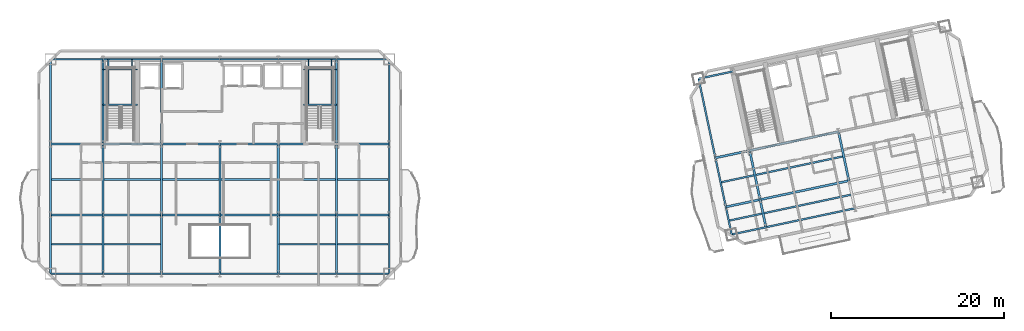
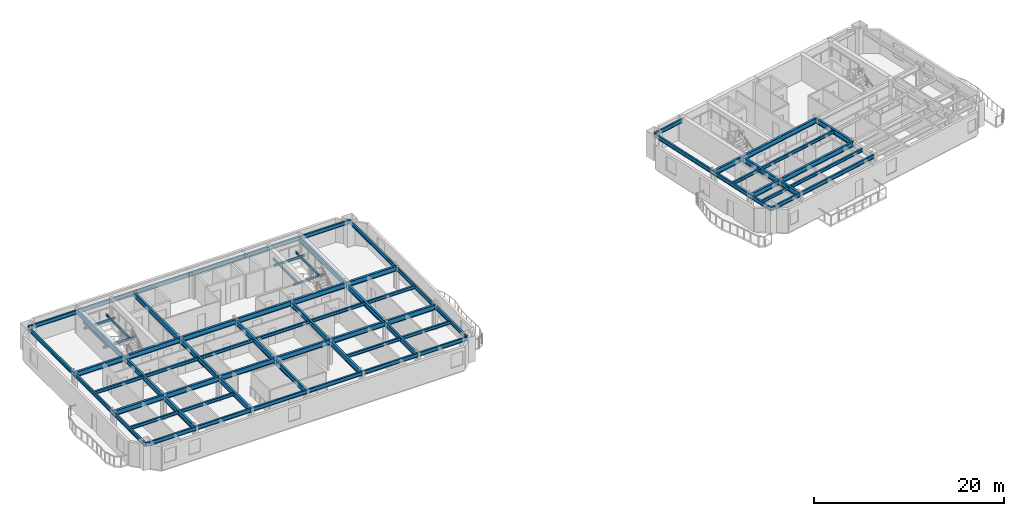
# One storey, part 3 of 13: 78 beams.
"""IFC4 building model written with IfcOpenShell, lengths in metres."""

import ifcopenshell
import ifcopenshell.guid

model = None  # the IFC model being written
_history = None  # IfcOwnerHistory: only IFC2X3 demands one
_inside = {}  # id of a spatial element -> (the spatial element, [elements in it])
_under = {}  # id of a project, library or spatial element -> (it, [spatial elements below it])
_declared = {}  # id of a project -> (the project, [libraries it declares])
_typed = {}  # id of a type object -> (the type object, [elements of that type])
_made_of = {}  # id of a material, layer set ... -> (it, [elements and type objects made of it])


def new_model(schema):
    """Start an empty IFC model of exactly this schema.

    Asked for "IFC4X3", IfcOpenShell would pick the latest addendum, in which some entities
    have other attributes; the version numbers below select the first issue.
    IFC2X3 requires an IfcOwnerHistory on every rooted entity: one is made here for all.
    """
    global model, _history
    if schema == "IFC4X3":
        model = ifcopenshell.file(schema_version=(4, 3, 0, 0))
    else:
        model = ifcopenshell.file(schema=schema)
    _inside.clear()
    _under.clear()
    _declared.clear()
    _typed.clear()
    _made_of.clear()
    _history = None
    if model.schema == "IFC2X3":
        org = make("IfcOrganization", Name="unknown")
        user = make(
            "IfcPersonAndOrganization",
            ThePerson=make("IfcPerson", FamilyName="unknown"),
            TheOrganization=org,
        )
        app = make(
            "IfcApplication",
            ApplicationDeveloper=org,
            Version="unknown",
            ApplicationFullName="unknown",
            ApplicationIdentifier="unknown",
        )
        _history = make(
            "IfcOwnerHistory",
            OwningUser=user,
            OwningApplication=app,
            ChangeAction="ADDED",
            CreationDate=0,
        )
    return model


def make(cls, **values):
    """One entity of the class cls with the attributes given. An attribute that is None is left unset."""
    return model.create_entity(
        cls, **{name: value for name, value in values.items() if value is not None}
    )


def rooted(cls, **values):
    """An entity with a GlobalId (a new one), such as an element, a storey or a relation."""
    return make(cls, GlobalId=ifcopenshell.guid.new(), OwnerHistory=_history, **values)


def si_unit(unit_type, name, prefix=None):
    """IfcSIUnit, for example si_unit("LENGTHUNIT", "METRE", prefix="MILLI")."""
    return make("IfcSIUnit", UnitType=unit_type, Prefix=prefix, Name=name)


def assignment(units):
    """IfcUnitAssignment: the units of a project."""
    return None if units is None else make("IfcUnitAssignment", Units=units)


def point(xyz):
    """IfcCartesianPoint."""
    return None if xyz is None else make("IfcCartesianPoint", Coordinates=xyz)


def direction(xyz):
    """IfcDirection."""
    return None if xyz is None else make("IfcDirection", DirectionRatios=xyz)


def frame(location, z_axis=None, x_axis=None):
    """IfcAxis2Placement3D, a coordinate frame: its origin and axes. An axis left out is left unset."""
    return make(
        "IfcAxis2Placement3D",
        Location=point(location),
        Axis=direction(z_axis),
        RefDirection=direction(x_axis),
    )


def frame_2d(location, x_axis=None):
    """IfcAxis2Placement2D, a coordinate frame in the plane: its origin and x axis."""
    return make(
        "IfcAxis2Placement2D", Location=point(location), RefDirection=direction(x_axis)
    )


def origin():
    """The frame at (0, 0, 0) with its axes left unset."""
    return frame((0.0, 0.0, 0.0))


def origin_2d():
    """The frame at (0, 0) in the plane with its x axis left unset."""
    return frame_2d((0.0, 0.0))


def place(relative_to, where):
    """IfcLocalPlacement: puts the frame where relative to a parent placement (None: the world)."""
    return make(
        "IfcLocalPlacement", PlacementRelTo=relative_to, RelativePlacement=where
    )


def context(
    kind, dimensions, precision=None, world=None, true_north=None, identifier=None
):
    """IfcGeometricRepresentationContext, for example the 3D "Model" context."""
    return make(
        "IfcGeometricRepresentationContext",
        ContextIdentifier=identifier,
        ContextType=kind,
        CoordinateSpaceDimension=dimensions,
        Precision=precision,
        WorldCoordinateSystem=world,
        TrueNorth=true_north,
    )


def subcontext(parent, identifier, kind, view, scale=None):
    """IfcGeometricRepresentationSubContext, for example "Body" below "Model"."""
    return make(
        "IfcGeometricRepresentationSubContext",
        ContextIdentifier=identifier,
        ContextType=kind,
        ParentContext=parent,
        TargetScale=scale,
        TargetView=view,
    )


def project(units=None, contexts=None):
    """IfcProject with its units and contexts."""
    return rooted(
        "IfcProject",
        Name="project",
        RepresentationContexts=contexts,
        UnitsInContext=assignment(units),
    )


def spatial(cls, under=None, at=None, **own):
    """A site, building, storey or space (cls), placed at a placement, below another one or the project."""
    s = rooted(cls, ObjectPlacement=at, **own)
    if under is not None:
        _under.setdefault(under.id(), (under, []))[1].append(s)
    return s


def profile(cls, at=None, kind="AREA", **sizes):
    """A parametric profile (cls). Its sizes go by their IFC names, for example OverallWidth=200.0."""
    return make(cls, ProfileType=kind, Position=at, **sizes)


def i_section(**sizes):
    """IfcIShapeProfileDef."""
    return profile("IfcIShapeProfileDef", **sizes)


def extrude(swept, where, along, depth):
    """IfcExtrudedAreaSolid: the profile swept, set in the frame where, extruded along a direction by depth."""
    return make(
        "IfcExtrudedAreaSolid",
        SweptArea=swept,
        Position=where,
        ExtrudedDirection=direction(along),
        Depth=depth,
    )


def shape(context_of_items, identifier, shape_type, items):
    """IfcShapeRepresentation: the items that make up one representation, for example the "Body"."""
    return make(
        "IfcShapeRepresentation",
        ContextOfItems=context_of_items,
        RepresentationIdentifier=identifier,
        RepresentationType=shape_type,
        Items=items,
    )


def material(Name=None, Category=None):
    """IfcMaterial."""
    return make("IfcMaterial", Name=Name, Category=Category)


def material_profile(
    of_material, cross_section, Name=None, Category=None, Priority=None
):
    """IfcMaterialProfile: a cross section and its material."""
    return make(
        "IfcMaterialProfile",
        Name=Name,
        Material=of_material,
        Profile=cross_section,
        Priority=Priority,
        Category=Category,
    )


def profile_set(profiles, Name=None, composite=None):
    """IfcMaterialProfileSet."""
    return make(
        "IfcMaterialProfileSet",
        Name=Name,
        MaterialProfiles=profiles,
        CompositeProfile=composite,
    )


def made_of(thing, what):
    """Note that an element or type object is made of a material, layer set ...; save() writes the relation."""
    if what is not None:
        _made_of.setdefault(what.id(), (what, []))[1].append(thing)
    return thing


def type_object(cls, material=None, **own):
    """A type object (cls), such as IfcWallType, which elements share."""
    return made_of(rooted(cls, **own), material)


def element(
    cls,
    number,
    at=None,
    inside=None,
    cuts=None,
    type_object=None,
    material=None,
    context=None,
    identifier="Body",
    shape_type=None,
    held_by="IfcProductDefinitionShape",
    body=None,
    shapes=None,
    **own,
):
    """One element of the class cls, such as IfcWall. Its Tag is "e" and its number.

    at: its placement. inside: the storey or other place that contains it. cuts: it is an
    opening in that element (IfcRelVoidsElement). A single representation is given by context,
    identifier, shape_type and body (its items); several are given by shapes. held_by: the class
    of the entity that holds the representations. save() writes the other relations.
    """
    e = rooted(cls, Tag="e%d" % number, ObjectPlacement=at, **own)
    if body is not None:
        shapes = [shape(context, identifier, shape_type, body)]
    if shapes is not None:
        e.Representation = make(held_by, Representations=shapes)
    if inside is not None:
        _inside.setdefault(inside.id(), (inside, []))[1].append(e)
    if cuts is not None:
        rooted(
            "IfcRelVoidsElement", RelatingBuildingElement=cuts, RelatedOpeningElement=e
        )
    if type_object is not None:
        _typed.setdefault(type_object.id(), (type_object, []))[1].append(e)
    return made_of(e, material)


def aggregate(whole, parts):
    """IfcRelAggregates: a whole, such as a stair, and the parts it consists of."""
    return rooted("IfcRelAggregates", RelatingObject=whole, RelatedObjects=parts)


def save(model, path):
    """Write the relations noted so far, then the file.

    IfcRelAggregates (storeys below a building ...), IfcRelContainedInSpatialStructure (elements
    in a storey), IfcRelDefinesByType, IfcRelAssociatesMaterial and IfcRelDeclares: one each for
    every whole, place, type object, material and project.
    """
    for whole, parts in _under.values():
        aggregate(whole, parts)
    for where, things in _inside.values():
        rooted(
            "IfcRelContainedInSpatialStructure",
            RelatedElements=things,
            RelatingStructure=where,
        )
    for kind, things in _typed.values():
        rooted("IfcRelDefinesByType", RelatedObjects=things, RelatingType=kind)
    for what, things in _made_of.values():
        rooted("IfcRelAssociatesMaterial", RelatedObjects=things, RelatingMaterial=what)
    for by, libraries in _declared.values():
        rooted("IfcRelDeclares", RelatingContext=by, RelatedDefinitions=libraries)
    model.write(path)


model = new_model("IFC4")

# Units and contexts
model_context = context("Model", 3, precision=1e-05, world=origin(), true_north=direction((0.0, 1.0)))
body_context = subcontext(model_context, "Body", "Model", "MODEL_VIEW")
ifc_project = project(units=[si_unit("LENGTHUNIT", "METRE"), si_unit("AREAUNIT", "SQUARE_METRE"), si_unit("VOLUMEUNIT", "CUBIC_METRE"), si_unit("PLANEANGLEUNIT", "RADIAN"), si_unit("MASSUNIT", "GRAM", prefix="KILO")], contexts=[model_context])

# Site, building, storey
site_placement = place(None, origin())
site = spatial("IfcSite", under=ifc_project, at=site_placement, CompositionType="ELEMENT")
building_placement = place(site_placement, origin())
building = spatial("IfcBuilding", under=site, at=building_placement, Name="Haevon Station Towers", CompositionType="ELEMENT")
storey_placement = place(building_placement, frame((0.0, 0.0, 159.300048828125)))
storey = spatial("IfcBuildingStorey", under=building, at=storey_placement, Name="L43", CompositionType="ELEMENT", Elevation=159.300048828125)

# Beams
ifc_material = material(Name="Steel S355", Category="steel")
ifc_material_profile_1 = material_profile(ifc_material, i_section(OverallWidth=0.25, OverallDepth=0.64990234375, WebThickness=0.012939453125, FlangeThickness=0.02197265625, at=origin_2d()), Name="H-650x250x13x22")
ifc_profile_set_1 = profile_set([ifc_material_profile_1], Name="Steel S355")
beam_type_1 = type_object("IfcBeamType", Name="BM-G650", PredefinedType="BEAM", material=ifc_profile_set_1)
beam_1_placement = place(storey_placement, frame((17.925048828125, 30.0, 2.724853515625), z_axis=(1.0, 0.0, 0.0), x_axis=(0.0, 1.0, 0.0)))
element("IfcBeam", 1, at=beam_1_placement, inside=storey, type_object=beam_type_1, Name="BM-T1U-L43-02-01", PredefinedType="BEAM", context=body_context, shape_type="SweptSolid", body=[
    extrude(i_section(OverallWidth=0.25, OverallDepth=0.64990234375, WebThickness=0.012939453125, FlangeThickness=0.02197265625, at=origin_2d()), origin(), (0.0, 0.0, 1.0), 6.074951171875),
])
for number, where, z_axis, x_axis, name in (
    (2, (24.0, 30.0, 2.724853515625), (1.0, 0.0, 0.0), (0.0, 1.0, 0.0), "BM-T1U-L43-02-02"),
    (3, (30.75, 30.0, 2.724853515625), (1.0, 0.0, 0.0), (0.0, 1.0, 0.0), "BM-T1U-L43-02-03"),
    (4, (37.5, 30.0, 2.724853515625), (1.0, 0.0, 0.0), (0.0, 1.0, 0.0), "BM-T1U-L43-02-04"),
    (5, (44.25, 30.0, 2.724853515625), (1.0, 0.0, 0.0), (0.0, 1.0, 0.0), "BM-T1U-L43-02-05"),
):
    element("IfcBeam", number, at=place(storey_placement, frame(where, z_axis=z_axis, x_axis=x_axis)), inside=storey, type_object=beam_type_1, Name=name, PredefinedType="BEAM", context=body_context, shape_type="SweptSolid", body=[
        extrude(i_section(OverallWidth=0.25, OverallDepth=0.64990234375, WebThickness=0.012939453125, FlangeThickness=0.02197265625, at=origin_2d()), origin(), (0.0, 0.0, 1.0), 6.75),
    ])
for number, where, z_axis, x_axis, name in (
    (6, (51.0, 30.0, 2.724853515625), (1.0, 0.0, 0.0), (0.0, 1.0, 0.0), "BM-T1U-L43-02-06"),
    (7, (17.925048828125, 38.199951171875, 2.724853515625), (1.0, 0.0, 0.0), (0.0, 1.0, 0.0), "BM-T1U-L43-03-01"),
):
    element("IfcBeam", number, at=place(storey_placement, frame(where, z_axis=z_axis, x_axis=x_axis)), inside=storey, type_object=beam_type_1, Name=name, PredefinedType="BEAM", context=body_context, shape_type="SweptSolid", body=[
        extrude(i_section(OverallWidth=0.25, OverallDepth=0.64990234375, WebThickness=0.012939453125, FlangeThickness=0.02197265625, at=origin_2d()), origin(), (0.0, 0.0, 1.0), 6.074951171875),
    ])
for number, where, z_axis, x_axis, name in (
    (8, (24.0, 38.199951171875, 2.724853515625), (1.0, 0.0, 0.0), (0.0, 1.0, 0.0), "BM-T1U-L43-03-02"),
    (9, (30.75, 38.199951171875, 2.724853515625), (1.0, 0.0, 0.0), (0.0, 1.0, 0.0), "BM-T1U-L43-03-03"),
    (10, (37.5, 38.199951171875, 2.724853515625), (1.0, 0.0, 0.0), (0.0, 1.0, 0.0), "BM-T1U-L43-03-04"),
    (11, (44.25, 38.199951171875, 2.724853515625), (1.0, 0.0, 0.0), (0.0, 1.0, 0.0), "BM-T1U-L43-03-05"),
):
    element("IfcBeam", number, at=place(storey_placement, frame(where, z_axis=z_axis, x_axis=x_axis)), inside=storey, type_object=beam_type_1, Name=name, PredefinedType="BEAM", context=body_context, shape_type="SweptSolid", body=[
        extrude(i_section(OverallWidth=0.25, OverallDepth=0.64990234375, WebThickness=0.012939453125, FlangeThickness=0.02197265625, at=origin_2d()), origin(), (0.0, 0.0, 1.0), 6.75),
    ])
beam_2_placement = place(storey_placement, frame((51.0, 38.199951171875, 2.724853515625), z_axis=(1.0, 0.0, 0.0), x_axis=(0.0, 1.0, 0.0)))
element("IfcBeam", 12, at=beam_2_placement, inside=storey, type_object=beam_type_1, Name="BM-T1U-L43-03-06", PredefinedType="BEAM", context=body_context, shape_type="SweptSolid", body=[
    extrude(i_section(OverallWidth=0.25, OverallDepth=0.64990234375, WebThickness=0.012939453125, FlangeThickness=0.02197265625, at=origin_2d()), origin(), (0.0, 0.0, 1.0), 6.074951171875),
])
beam_3_placement = place(storey_placement, frame((24.0, 23.199951171875, 2.724853515625), z_axis=(0.0, 1.0, 0.0), x_axis=(-1.0, 0.0, 0.0)))
element("IfcBeam", 13, at=beam_3_placement, inside=storey, type_object=beam_type_1, Name="BM-T1V-L43-02-01", PredefinedType="BEAM", context=body_context, shape_type="SweptSolid", body=[
    extrude(i_section(OverallWidth=0.25, OverallDepth=0.64990234375, WebThickness=0.012939453125, FlangeThickness=0.02197265625, at=origin_2d()), origin(), (0.0, 0.0, 1.0), 6.800048828125),
])
beam_4_placement = place(storey_placement, frame((24.0, 30.0, 2.724853515625), z_axis=(0.0, 1.0, 0.0), x_axis=(-1.0, 0.0, 0.0)))
element("IfcBeam", 14, at=beam_4_placement, inside=storey, type_object=beam_type_1, Name="BM-T1V-L43-02-02", PredefinedType="BEAM", context=body_context, shape_type="SweptSolid", body=[
    extrude(i_section(OverallWidth=0.25, OverallDepth=0.64990234375, WebThickness=0.012939453125, FlangeThickness=0.02197265625, at=origin_2d()), origin(), (0.0, 0.0, 1.0), 8.199951171875),
])
beam_5_placement = place(storey_placement, frame((24.0, 38.199951171875, 2.724853515625), z_axis=(0.0, 1.0, 0.0), x_axis=(-1.0, 0.0, 0.0)))
element("IfcBeam", 15, at=beam_5_placement, inside=storey, type_object=beam_type_1, Name="BM-T1V-L43-02-03", PredefinedType="BEAM", context=body_context, shape_type="SweptSolid", body=[
    extrude(i_section(OverallWidth=0.25, OverallDepth=0.64990234375, WebThickness=0.012939453125, FlangeThickness=0.02197265625, at=origin_2d()), origin(), (0.0, 0.0, 1.0), 9.800048828125),
])
beam_6_placement = place(storey_placement, frame((30.75, 23.199951171875, 2.724853515625), z_axis=(0.0, 1.0, 0.0), x_axis=(-1.0, 0.0, 0.0)))
element("IfcBeam", 16, at=beam_6_placement, inside=storey, type_object=beam_type_1, Name="BM-T1V-L43-03-01", PredefinedType="BEAM", context=body_context, shape_type="SweptSolid", body=[
    extrude(i_section(OverallWidth=0.25, OverallDepth=0.64990234375, WebThickness=0.012939453125, FlangeThickness=0.02197265625, at=origin_2d()), origin(), (0.0, 0.0, 1.0), 6.800048828125),
])
beam_7_placement = place(storey_placement, frame((30.75, 30.0, 2.724853515625), z_axis=(0.0, 1.0, 0.0), x_axis=(-1.0, 0.0, 0.0)))
element("IfcBeam", 17, at=beam_7_placement, inside=storey, type_object=beam_type_1, Name="BM-T1V-L43-03-02", PredefinedType="BEAM", context=body_context, shape_type="SweptSolid", body=[
    extrude(i_section(OverallWidth=0.25, OverallDepth=0.64990234375, WebThickness=0.012939453125, FlangeThickness=0.02197265625, at=origin_2d()), origin(), (0.0, 0.0, 1.0), 8.199951171875),
])
beam_8_placement = place(storey_placement, frame((30.75, 38.199951171875, 2.724853515625), z_axis=(0.0, 1.0, 0.0), x_axis=(-1.0, 0.0, 0.0)))
element("IfcBeam", 18, at=beam_8_placement, inside=storey, type_object=beam_type_1, Name="BM-T1V-L43-03-03", PredefinedType="BEAM", context=body_context, shape_type="SweptSolid", body=[
    extrude(i_section(OverallWidth=0.25, OverallDepth=0.64990234375, WebThickness=0.012939453125, FlangeThickness=0.02197265625, at=origin_2d()), origin(), (0.0, 0.0, 1.0), 9.800048828125),
])
beam_9_placement = place(storey_placement, frame((37.5, 23.199951171875, 2.724853515625), z_axis=(0.0, 1.0, 0.0), x_axis=(-1.0, 0.0, 0.0)))
element("IfcBeam", 19, at=beam_9_placement, inside=storey, type_object=beam_type_1, Name="BM-T1V-L43-04-01", PredefinedType="BEAM", context=body_context, shape_type="SweptSolid", body=[
    extrude(i_section(OverallWidth=0.25, OverallDepth=0.64990234375, WebThickness=0.012939453125, FlangeThickness=0.02197265625, at=origin_2d()), origin(), (0.0, 0.0, 1.0), 6.800048828125),
])
beam_10_placement = place(storey_placement, frame((37.5, 30.0, 2.724853515625), z_axis=(0.0, 1.0, 0.0), x_axis=(-1.0, 0.0, 0.0)))
element("IfcBeam", 20, at=beam_10_placement, inside=storey, type_object=beam_type_1, Name="BM-T1V-L43-04-02", PredefinedType="BEAM", context=body_context, shape_type="SweptSolid", body=[
    extrude(i_section(OverallWidth=0.25, OverallDepth=0.64990234375, WebThickness=0.012939453125, FlangeThickness=0.02197265625, at=origin_2d()), origin(), (0.0, 0.0, 1.0), 8.199951171875),
])
beam_11_placement = place(storey_placement, frame((44.25, 23.199951171875, 2.724853515625), z_axis=(0.0, 1.0, 0.0), x_axis=(-1.0, 0.0, 0.0)))
element("IfcBeam", 21, at=beam_11_placement, inside=storey, type_object=beam_type_1, Name="BM-T1V-L43-05-01", PredefinedType="BEAM", context=body_context, shape_type="SweptSolid", body=[
    extrude(i_section(OverallWidth=0.25, OverallDepth=0.64990234375, WebThickness=0.012939453125, FlangeThickness=0.02197265625, at=origin_2d()), origin(), (0.0, 0.0, 1.0), 6.800048828125),
])
beam_12_placement = place(storey_placement, frame((44.25, 30.0, 2.724853515625), z_axis=(0.0, 1.0, 0.0), x_axis=(-1.0, 0.0, 0.0)))
element("IfcBeam", 22, at=beam_12_placement, inside=storey, type_object=beam_type_1, Name="BM-T1V-L43-05-02", PredefinedType="BEAM", context=body_context, shape_type="SweptSolid", body=[
    extrude(i_section(OverallWidth=0.25, OverallDepth=0.64990234375, WebThickness=0.012939453125, FlangeThickness=0.02197265625, at=origin_2d()), origin(), (0.0, 0.0, 1.0), 8.199951171875),
])
beam_13_placement = place(storey_placement, frame((51.0, 23.199951171875, 2.724853515625), z_axis=(0.0, 1.0, 0.0), x_axis=(-1.0, 0.0, 0.0)))
element("IfcBeam", 23, at=beam_13_placement, inside=storey, type_object=beam_type_1, Name="BM-T1V-L43-06-01", PredefinedType="BEAM", context=body_context, shape_type="SweptSolid", body=[
    extrude(i_section(OverallWidth=0.25, OverallDepth=0.64990234375, WebThickness=0.012939453125, FlangeThickness=0.02197265625, at=origin_2d()), origin(), (0.0, 0.0, 1.0), 6.800048828125),
])
beam_14_placement = place(storey_placement, frame((51.0, 30.0, 2.724853515625), z_axis=(0.0, 1.0, 0.0), x_axis=(-1.0, 0.0, 0.0)))
element("IfcBeam", 24, at=beam_14_placement, inside=storey, type_object=beam_type_1, Name="BM-T1V-L43-06-02", PredefinedType="BEAM", context=body_context, shape_type="SweptSolid", body=[
    extrude(i_section(OverallWidth=0.25, OverallDepth=0.64990234375, WebThickness=0.012939453125, FlangeThickness=0.02197265625, at=origin_2d()), origin(), (0.0, 0.0, 1.0), 8.199951171875),
])
beam_15_placement = place(storey_placement, frame((51.0, 38.199951171875, 2.724853515625), z_axis=(0.0, 1.0, 0.0), x_axis=(-1.0, 0.0, 0.0)))
element("IfcBeam", 25, at=beam_15_placement, inside=storey, type_object=beam_type_1, Name="BM-T1V-L43-06-03", PredefinedType="BEAM", context=body_context, shape_type="SweptSolid", body=[
    extrude(i_section(OverallWidth=0.25, OverallDepth=0.64990234375, WebThickness=0.012939453125, FlangeThickness=0.02197265625, at=origin_2d()), origin(), (0.0, 0.0, 1.0), 9.800048828125),
])
beam_16_placement = place(storey_placement, frame((95.996826171875, 30.927001953125, 2.724853515625), z_axis=(0.978146899108, 0.207914991681, 0.0), x_axis=(-0.207914991681, 0.978146899108, 0.0)))
element("IfcBeam", 26, at=beam_16_placement, inside=storey, type_object=beam_type_1, Name="BM-T2U-L43-02-01", PredefinedType="BEAM", context=body_context, shape_type="SweptSolid", body=[
    extrude(i_section(OverallWidth=0.25, OverallDepth=0.64990234375, WebThickness=0.012939453125, FlangeThickness=0.02197265625, at=origin_2d()), origin(), (0.0, 0.0, 1.0), 4.050048828125),
])
beam_17_placement = place(storey_placement, frame((99.958251953125, 31.76904296875, 2.724853515625), z_axis=(0.978146794194, 0.207915485254, 0.0), x_axis=(-0.207915485254, 0.978146794194, 0.0)))
element("IfcBeam", 27, at=beam_17_placement, inside=storey, type_object=beam_type_1, Name="BM-T2U-L43-02-02", PredefinedType="BEAM", context=body_context, shape_type="SweptSolid", body=[
    extrude(i_section(OverallWidth=0.25, OverallDepth=0.64990234375, WebThickness=0.012939453125, FlangeThickness=0.02197265625, at=origin_2d()), origin(), (0.0, 0.0, 1.0), 10.5),
])
beam_18_placement = place(storey_placement, frame((94.790771484375, 36.600341796875, 2.724853515625), z_axis=(0.978149504816, 0.207902732613, 0.0), x_axis=(-0.207902732613, 0.978149504816, 0.0)))
element("IfcBeam", 28, at=beam_18_placement, inside=storey, type_object=beam_type_1, Name="BM-T2U-L43-03-01", PredefinedType="BEAM", context=body_context, shape_type="SweptSolid", body=[
    extrude(i_section(OverallWidth=0.25, OverallDepth=0.64990234375, WebThickness=0.012939453125, FlangeThickness=0.02197265625, at=origin_2d()), origin(), (0.0, 0.0, 1.0), 4.050048828125),
])
beam_19_placement = place(storey_placement, frame((98.75244140625, 37.4423828125, 2.724853515625), z_axis=(0.978146794194, 0.207915485254, 0.0), x_axis=(-0.207915485254, 0.978146794194, 0.0)))
element("IfcBeam", 29, at=beam_19_placement, inside=storey, type_object=beam_type_1, Name="BM-T2U-L43-03-02", PredefinedType="BEAM", context=body_context, shape_type="SweptSolid", body=[
    extrude(i_section(OverallWidth=0.25, OverallDepth=0.64990234375, WebThickness=0.012939453125, FlangeThickness=0.02197265625, at=origin_2d()), origin(), (0.0, 0.0, 1.0), 10.5),
])
beam_20_placement = place(storey_placement, frame((100.635986328125, 28.580322265625, 2.724853515625), z_axis=(-0.207897270364, 0.978150665785, 0.0), x_axis=(-0.978150665785, -0.207897270364, 0.0)))
element("IfcBeam", 30, at=beam_20_placement, inside=storey, type_object=beam_type_1, Name="BM-T2V-L43-02-01", PredefinedType="BEAM", context=body_context, shape_type="SweptSolid", body=[
    extrude(i_section(OverallWidth=0.25, OverallDepth=0.64990234375, WebThickness=0.012939453125, FlangeThickness=0.02197265625, at=origin_2d()), origin(), (0.0, 0.0, 1.0), 3.260009765625),
])
for number, where, z_axis, x_axis, name in (
    (31, (99.958251953125, 31.76904296875, 2.724853515625), (-0.207896009217, 0.97815093383, 0.0), (-0.97815093383, -0.207896009217, 0.0), "BM-T2V-L43-02-02"),
    (32, (110.228759765625, 33.9521484375, 2.724853515625), (-0.207896009217, 0.97815093383, 0.0), (-0.97815093383, -0.207896009217, 0.0), "BM-T2V-L43-03-02"),
):
    element("IfcBeam", number, at=place(storey_placement, frame(where, z_axis=z_axis, x_axis=x_axis)), inside=storey, type_object=beam_type_1, Name=name, PredefinedType="BEAM", context=body_context, shape_type="SweptSolid", body=[
        extrude(i_section(OverallWidth=0.25, OverallDepth=0.64990234375, WebThickness=0.012939453125, FlangeThickness=0.02197265625, at=origin_2d()), origin(), (0.0, 0.0, 1.0), 5.800048828125),
    ])
ifc_material_profile_2 = material_profile(ifc_material, i_section(OverallWidth=0.199951171875, OverallDepth=0.39990234375, WebThickness=0.008056640625, FlangeThickness=0.012939453125, at=origin_2d()), Name="H-400x200x8x13")
ifc_profile_set_2 = profile_set([ifc_material_profile_2], Name="Steel S355")
beam_type_2 = type_object("IfcBeamType", Name="BM-J400", PredefinedType="JOIST", material=ifc_profile_set_2)
beam_21_placement = place(storey_placement, frame((18.034912109375, 26.60009765625, 2.849853515625), z_axis=(1.0, 0.0, 0.0), x_axis=(0.0, 1.0, 0.0)))
element("IfcBeam", 33, at=beam_21_placement, inside=storey, type_object=beam_type_2, Name="BM-T1J-L43-01-01", PredefinedType="JOIST", context=body_context, shape_type="SweptSolid", body=[
    extrude(i_section(OverallWidth=0.199951171875, OverallDepth=0.39990234375, WebThickness=0.008056640625, FlangeThickness=0.012939453125, at=origin_2d()), origin(), (0.0, 0.0, 1.0), 5.85498046875),
])
for number, where, z_axis, x_axis, name in (
    (34, (24.110107421875, 26.60009765625, 2.849853515625), (1.0, 0.0, 0.0), (0.0, 1.0, 0.0), "BM-T1J-L43-01-02"),
    (35, (44.360107421875, 26.60009765625, 2.849853515625), (1.0, 0.0, 0.0), (0.0, 1.0, 0.0), "BM-T1J-L43-01-05"),
):
    element("IfcBeam", number, at=place(storey_placement, frame(where, z_axis=z_axis, x_axis=x_axis)), inside=storey, type_object=beam_type_2, Name=name, PredefinedType="JOIST", context=body_context, shape_type="SweptSolid", body=[
        extrude(i_section(OverallWidth=0.199951171875, OverallDepth=0.39990234375, WebThickness=0.008056640625, FlangeThickness=0.012939453125, at=origin_2d()), origin(), (0.0, 0.0, 1.0), 6.52978515625),
    ])
for number, where, z_axis, x_axis, name in (
    (36, (51.110107421875, 26.60009765625, 2.849853515625), (1.0, 0.0, 0.0), (0.0, 1.0, 0.0), "BM-T1J-L43-01-06"),
    (37, (18.034912109375, 34.10009765625, 2.849853515625), (1.0, 0.0, 0.0), (0.0, 1.0, 0.0), "BM-T1J-L43-02-01"),
):
    element("IfcBeam", number, at=place(storey_placement, frame(where, z_axis=z_axis, x_axis=x_axis)), inside=storey, type_object=beam_type_2, Name=name, PredefinedType="JOIST", context=body_context, shape_type="SweptSolid", body=[
        extrude(i_section(OverallWidth=0.199951171875, OverallDepth=0.39990234375, WebThickness=0.008056640625, FlangeThickness=0.012939453125, at=origin_2d()), origin(), (0.0, 0.0, 1.0), 5.85498046875),
    ])
for number, where, z_axis, x_axis, name in (
    (38, (24.110107421875, 34.10009765625, 2.849853515625), (1.0, 0.0, 0.0), (0.0, 1.0, 0.0), "BM-T1J-L43-02-02"),
    (39, (30.860107421875, 34.10009765625, 2.849853515625), (1.0, 0.0, 0.0), (0.0, 1.0, 0.0), "BM-T1J-L43-02-03"),
    (40, (37.610107421875, 34.10009765625, 2.849853515625), (1.0, 0.0, 0.0), (0.0, 1.0, 0.0), "BM-T1J-L43-02-04"),
    (41, (44.360107421875, 34.10009765625, 2.849853515625), (1.0, 0.0, 0.0), (0.0, 1.0, 0.0), "BM-T1J-L43-02-05"),
):
    element("IfcBeam", number, at=place(storey_placement, frame(where, z_axis=z_axis, x_axis=x_axis)), inside=storey, type_object=beam_type_2, Name=name, PredefinedType="JOIST", context=body_context, shape_type="SweptSolid", body=[
        extrude(i_section(OverallWidth=0.199951171875, OverallDepth=0.39990234375, WebThickness=0.008056640625, FlangeThickness=0.012939453125, at=origin_2d()), origin(), (0.0, 0.0, 1.0), 6.52978515625),
    ])
beam_22_placement = place(storey_placement, frame((51.110107421875, 34.10009765625, 2.849853515625), z_axis=(1.0, 0.0, 0.0), x_axis=(0.0, 1.0, 0.0)))
element("IfcBeam", 42, at=beam_22_placement, inside=storey, type_object=beam_type_2, Name="BM-T1J-L43-02-06", PredefinedType="JOIST", context=body_context, shape_type="SweptSolid", body=[
    extrude(i_section(OverallWidth=0.199951171875, OverallDepth=0.39990234375, WebThickness=0.008056640625, FlangeThickness=0.012939453125, at=origin_2d()), origin(), (0.0, 0.0, 1.0), 5.85498046875),
])
beam_23_placement = place(storey_placement, frame((96.443115234375, 29.355712890625, 2.849853515625), z_axis=(0.978156420772, 0.207870191472, 0.0), x_axis=(-0.207870191472, 0.978156420772, 0.0)))
element("IfcBeam", 43, at=beam_23_placement, inside=storey, type_object=beam_type_2, Name="BM-T2J-L43-01-01", PredefinedType="JOIST", context=body_context, shape_type="SweptSolid", body=[
    extrude(i_section(OverallWidth=0.199951171875, OverallDepth=0.39990234375, WebThickness=0.008056640625, FlangeThickness=0.012939453125, at=origin_2d()), origin(), (0.0, 0.0, 1.0), 3.830078125),
])
beam_24_placement = place(storey_placement, frame((100.40478515625, 30.19775390625, 2.849853515625), z_axis=(0.978150339653, 0.207898804801, 0.0), x_axis=(-0.207898804801, 0.978150339653, 0.0)))
element("IfcBeam", 44, at=beam_24_placement, inside=storey, type_object=beam_type_2, Name="BM-T2J-L43-01-02", PredefinedType="JOIST", context=body_context, shape_type="SweptSolid", body=[
    extrude(i_section(OverallWidth=0.199951171875, OverallDepth=0.39990234375, WebThickness=0.008056640625, FlangeThickness=0.012939453125, at=origin_2d()), origin(), (0.0, 0.0, 1.0), 10.280029296875),
])
beam_25_placement = place(storey_placement, frame((95.50146484375, 33.78662109375, 2.849853515625), z_axis=(0.97814345794, 0.207931180176, 0.0), x_axis=(-0.207931180176, 0.97814345794, 0.0)))
element("IfcBeam", 45, at=beam_25_placement, inside=storey, type_object=beam_type_2, Name="BM-T2J-L43-02-01", PredefinedType="JOIST", context=body_context, shape_type="SweptSolid", body=[
    extrude(i_section(OverallWidth=0.199951171875, OverallDepth=0.39990234375, WebThickness=0.008056640625, FlangeThickness=0.012939453125, at=origin_2d()), origin(), (0.0, 0.0, 1.0), 3.830078125),
])
beam_26_placement = place(storey_placement, frame((99.462890625, 34.628662109375, 2.849853515625), z_axis=(0.978150339653, 0.207898804801, 0.0), x_axis=(-0.207898804801, 0.978150339653, 0.0)))
element("IfcBeam", 46, at=beam_26_placement, inside=storey, type_object=beam_type_2, Name="BM-T2J-L43-02-02", PredefinedType="JOIST", context=body_context, shape_type="SweptSolid", body=[
    extrude(i_section(OverallWidth=0.199951171875, OverallDepth=0.39990234375, WebThickness=0.008056640625, FlangeThickness=0.012939453125, at=origin_2d()), origin(), (0.0, 0.0, 1.0), 10.280029296875),
])
ifc_material_profile_3 = material_profile(ifc_material, i_section(OverallWidth=0.14990234375, OverallDepth=0.300048828125, WebThickness=0.006591796875, FlangeThickness=0.009033203125, at=origin_2d()), Name="H-300x150x6.5x9")
ifc_profile_set_3 = profile_set([ifc_material_profile_3], Name="Steel S355")
beam_type_3 = type_object("IfcBeamType", Name="BM-LIN300", PredefinedType="LINTEL", material=ifc_profile_set_3)
for number, where, z_axis, x_axis, name in (
    (47, (24.0, 42.743896484375, 1.300048828125), (1.0, 0.0, 0.0), (0.0, 1.0, 0.0), "BM-ST1L-L43-1-S"),
    (48, (24.0, 46.820068359375, 1.300048828125), (1.0, 0.0, 0.0), (0.0, 1.0, 0.0), "BM-ST1L-L43-1-N"),
):
    element("IfcBeam", number, at=place(storey_placement, frame(where, z_axis=z_axis, x_axis=x_axis)), inside=storey, type_object=beam_type_3, Name=name, PredefinedType="LINTEL", context=body_context, shape_type="SweptSolid", body=[
        extrude(i_section(OverallWidth=0.14990234375, OverallDepth=0.300048828125, WebThickness=0.006591796875, FlangeThickness=0.009033203125, at=origin_2d()), origin(), (0.0, 0.0, 1.0), 3.949951171875),
    ])
for number, where, z_axis, x_axis, name in (
    (49, (24.60009765625, 42.743896484375, 1.300048828125), (0.0, 1.0, 0.0), (-1.0, 0.0, 0.0), "BM-ST1L-L43-1-W"),
    (50, (27.35009765625, 42.743896484375, 1.300048828125), (0.0, 1.0, 0.0), (-1.0, 0.0, 0.0), "BM-ST1L-L43-1-E"),
):
    element("IfcBeam", number, at=place(storey_placement, frame(where, z_axis=z_axis, x_axis=x_axis)), inside=storey, type_object=beam_type_3, Name=name, PredefinedType="LINTEL", context=body_context, shape_type="SweptSolid", body=[
        extrude(i_section(OverallWidth=0.14990234375, OverallDepth=0.300048828125, WebThickness=0.006591796875, FlangeThickness=0.009033203125, at=origin_2d()), origin(), (0.0, 0.0, 1.0), 5.256103515625),
    ])
for number, where, z_axis, x_axis, name in (
    (51, (47.14990234375, 42.743896484375, 1.300048828125), (1.0, 0.0, 0.0), (0.0, 1.0, 0.0), "BM-ST2L-L43-1-S"),
    (52, (47.14990234375, 46.820068359375, 1.300048828125), (1.0, 0.0, 0.0), (0.0, 1.0, 0.0), "BM-ST2L-L43-1-N"),
):
    element("IfcBeam", number, at=place(storey_placement, frame(where, z_axis=z_axis, x_axis=x_axis)), inside=storey, type_object=beam_type_3, Name=name, PredefinedType="LINTEL", context=body_context, shape_type="SweptSolid", body=[
        extrude(i_section(OverallWidth=0.14990234375, OverallDepth=0.300048828125, WebThickness=0.006591796875, FlangeThickness=0.009033203125, at=origin_2d()), origin(), (0.0, 0.0, 1.0), 3.85009765625),
    ])
for number, where, z_axis, x_axis, name in (
    (53, (47.75, 42.743896484375, 1.300048828125), (0.0, 1.0, 0.0), (-1.0, 0.0, 0.0), "BM-ST2L-L43-1-W"),
    (54, (50.39990234375, 42.743896484375, 1.300048828125), (0.0, 1.0, 0.0), (-1.0, 0.0, 0.0), "BM-ST2L-L43-1-E"),
):
    element("IfcBeam", number, at=place(storey_placement, frame(where, z_axis=z_axis, x_axis=x_axis)), inside=storey, type_object=beam_type_3, Name=name, PredefinedType="LINTEL", context=body_context, shape_type="SweptSolid", body=[
        extrude(i_section(OverallWidth=0.14990234375, OverallDepth=0.300048828125, WebThickness=0.006591796875, FlangeThickness=0.009033203125, at=origin_2d()), origin(), (0.0, 0.0, 1.0), 5.256103515625),
    ])
ifc_material_profile_4 = material_profile(ifc_material, i_section(OverallWidth=0.199951171875, OverallDepth=0.5, WebThickness=0.010009765625, FlangeThickness=0.01611328125, at=origin_2d()), Name="H-500x200x10x16")
ifc_profile_set_4 = profile_set([ifc_material_profile_4], Name="Steel S355")
beam_type_4 = type_object("IfcBeamType", Name="BM-SP500", PredefinedType="SPANDREL", material=ifc_profile_set_4)
beam_27_placement = place(storey_placement, frame((17.925048828125, 23.199951171875, 2.800048828125), z_axis=(1.0, 0.0, 0.0), x_axis=(0.0, 1.0, 0.0)))
element("IfcBeam", 55, at=beam_27_placement, inside=storey, type_object=beam_type_4, Name="BM-T1U-L43-01-01", PredefinedType="SPANDREL", context=body_context, shape_type="SweptSolid", body=[
    extrude(i_section(OverallWidth=0.199951171875, OverallDepth=0.5, WebThickness=0.010009765625, FlangeThickness=0.01611328125, at=origin_2d()), origin(), (0.0, 0.0, 1.0), 6.074951171875),
])
for number, where, z_axis, x_axis, name in (
    (56, (24.0, 23.199951171875, 2.800048828125), (1.0, 0.0, 0.0), (0.0, 1.0, 0.0), "BM-T1U-L43-01-02"),
    (57, (30.75, 23.199951171875, 2.800048828125), (1.0, 0.0, 0.0), (0.0, 1.0, 0.0), "BM-T1U-L43-01-03"),
    (58, (37.5, 23.199951171875, 2.800048828125), (1.0, 0.0, 0.0), (0.0, 1.0, 0.0), "BM-T1U-L43-01-04"),
    (59, (44.25, 23.199951171875, 2.800048828125), (1.0, 0.0, 0.0), (0.0, 1.0, 0.0), "BM-T1U-L43-01-05"),
):
    element("IfcBeam", number, at=place(storey_placement, frame(where, z_axis=z_axis, x_axis=x_axis)), inside=storey, type_object=beam_type_4, Name=name, PredefinedType="SPANDREL", context=body_context, shape_type="SweptSolid", body=[
        extrude(i_section(OverallWidth=0.199951171875, OverallDepth=0.5, WebThickness=0.010009765625, FlangeThickness=0.01611328125, at=origin_2d()), origin(), (0.0, 0.0, 1.0), 6.75),
    ])
for number, where, z_axis, x_axis, name in (
    (60, (51.0, 23.199951171875, 2.800048828125), (1.0, 0.0, 0.0), (0.0, 1.0, 0.0), "BM-T1U-L43-01-06"),
    (61, (17.925048828125, 48.0, 2.800048828125), (1.0, 0.0, 0.0), (0.0, 1.0, 0.0), "BM-T1U-L43-04-01"),
):
    element("IfcBeam", number, at=place(storey_placement, frame(where, z_axis=z_axis, x_axis=x_axis)), inside=storey, type_object=beam_type_4, Name=name, PredefinedType="SPANDREL", context=body_context, shape_type="SweptSolid", body=[
        extrude(i_section(OverallWidth=0.199951171875, OverallDepth=0.5, WebThickness=0.010009765625, FlangeThickness=0.01611328125, at=origin_2d()), origin(), (0.0, 0.0, 1.0), 6.074951171875),
    ])
for number, where, z_axis, x_axis, name in (
    (62, (24.0, 48.0, 2.800048828125), (1.0, 0.0, 0.0), (0.0, 1.0, 0.0), "BM-T1U-L43-04-02"),
    (63, (30.75, 48.0, 2.800048828125), (1.0, 0.0, 0.0), (0.0, 1.0, 0.0), "BM-T1U-L43-04-03"),
    (64, (37.5, 48.0, 2.800048828125), (1.0, 0.0, 0.0), (0.0, 1.0, 0.0), "BM-T1U-L43-04-04"),
    (65, (44.25, 48.0, 2.800048828125), (1.0, 0.0, 0.0), (0.0, 1.0, 0.0), "BM-T1U-L43-04-05"),
):
    element("IfcBeam", number, at=place(storey_placement, frame(where, z_axis=z_axis, x_axis=x_axis)), inside=storey, type_object=beam_type_4, Name=name, PredefinedType="SPANDREL", context=body_context, shape_type="SweptSolid", body=[
        extrude(i_section(OverallWidth=0.199951171875, OverallDepth=0.5, WebThickness=0.010009765625, FlangeThickness=0.01611328125, at=origin_2d()), origin(), (0.0, 0.0, 1.0), 6.75),
    ])
beam_28_placement = place(storey_placement, frame((51.0, 48.0, 2.800048828125), z_axis=(1.0, 0.0, 0.0), x_axis=(0.0, 1.0, 0.0)))
element("IfcBeam", 66, at=beam_28_placement, inside=storey, type_object=beam_type_4, Name="BM-T1U-L43-04-06", PredefinedType="SPANDREL", context=body_context, shape_type="SweptSolid", body=[
    extrude(i_section(OverallWidth=0.199951171875, OverallDepth=0.5, WebThickness=0.010009765625, FlangeThickness=0.01611328125, at=origin_2d()), origin(), (0.0, 0.0, 1.0), 6.074951171875),
])
beam_29_placement = place(storey_placement, frame((17.925048828125, 23.199951171875, 2.800048828125), z_axis=(0.0, 1.0, 0.0), x_axis=(-1.0, 0.0, 0.0)))
element("IfcBeam", 67, at=beam_29_placement, inside=storey, type_object=beam_type_4, Name="BM-T1V-L43-01-01", PredefinedType="SPANDREL", context=body_context, shape_type="SweptSolid", body=[
    extrude(i_section(OverallWidth=0.199951171875, OverallDepth=0.5, WebThickness=0.010009765625, FlangeThickness=0.01611328125, at=origin_2d()), origin(), (0.0, 0.0, 1.0), 6.800048828125),
])
beam_30_placement = place(storey_placement, frame((17.925048828125, 30.0, 2.800048828125), z_axis=(0.0, 1.0, 0.0), x_axis=(-1.0, 0.0, 0.0)))
element("IfcBeam", 68, at=beam_30_placement, inside=storey, type_object=beam_type_4, Name="BM-T1V-L43-01-02", PredefinedType="SPANDREL", context=body_context, shape_type="SweptSolid", body=[
    extrude(i_section(OverallWidth=0.199951171875, OverallDepth=0.5, WebThickness=0.010009765625, FlangeThickness=0.01611328125, at=origin_2d()), origin(), (0.0, 0.0, 1.0), 8.199951171875),
])
beam_31_placement = place(storey_placement, frame((17.925048828125, 38.199951171875, 2.800048828125), z_axis=(0.0, 1.0, 0.0), x_axis=(-1.0, 0.0, 0.0)))
element("IfcBeam", 69, at=beam_31_placement, inside=storey, type_object=beam_type_4, Name="BM-T1V-L43-01-03", PredefinedType="SPANDREL", context=body_context, shape_type="SweptSolid", body=[
    extrude(i_section(OverallWidth=0.199951171875, OverallDepth=0.5, WebThickness=0.010009765625, FlangeThickness=0.01611328125, at=origin_2d()), origin(), (0.0, 0.0, 1.0), 9.800048828125),
])
beam_32_placement = place(storey_placement, frame((57.074951171875, 23.199951171875, 2.800048828125), z_axis=(0.0, 1.0, 0.0), x_axis=(-1.0, 0.0, 0.0)))
element("IfcBeam", 70, at=beam_32_placement, inside=storey, type_object=beam_type_4, Name="BM-T1V-L43-07-01", PredefinedType="SPANDREL", context=body_context, shape_type="SweptSolid", body=[
    extrude(i_section(OverallWidth=0.199951171875, OverallDepth=0.5, WebThickness=0.010009765625, FlangeThickness=0.01611328125, at=origin_2d()), origin(), (0.0, 0.0, 1.0), 6.800048828125),
])
beam_33_placement = place(storey_placement, frame((57.074951171875, 30.0, 2.800048828125), z_axis=(0.0, 1.0, 0.0), x_axis=(-1.0, 0.0, 0.0)))
element("IfcBeam", 71, at=beam_33_placement, inside=storey, type_object=beam_type_4, Name="BM-T1V-L43-07-02", PredefinedType="SPANDREL", context=body_context, shape_type="SweptSolid", body=[
    extrude(i_section(OverallWidth=0.199951171875, OverallDepth=0.5, WebThickness=0.010009765625, FlangeThickness=0.01611328125, at=origin_2d()), origin(), (0.0, 0.0, 1.0), 8.199951171875),
])
beam_34_placement = place(storey_placement, frame((57.074951171875, 38.199951171875, 2.800048828125), z_axis=(0.0, 1.0, 0.0), x_axis=(-1.0, 0.0, 0.0)))
element("IfcBeam", 72, at=beam_34_placement, inside=storey, type_object=beam_type_4, Name="BM-T1V-L43-07-03", PredefinedType="SPANDREL", context=body_context, shape_type="SweptSolid", body=[
    extrude(i_section(OverallWidth=0.199951171875, OverallDepth=0.5, WebThickness=0.010009765625, FlangeThickness=0.01611328125, at=origin_2d()), origin(), (0.0, 0.0, 1.0), 9.800048828125),
])
beam_35_placement = place(storey_placement, frame((96.674560546875, 27.73828125, 2.800048828125), z_axis=(0.978146899108, 0.207914991681, 0.0), x_axis=(-0.207914991681, 0.978146899108, 0.0)))
element("IfcBeam", 73, at=beam_35_placement, inside=storey, type_object=beam_type_4, Name="BM-T2U-L43-01-01", PredefinedType="SPANDREL", context=body_context, shape_type="SweptSolid", body=[
    extrude(i_section(OverallWidth=0.199951171875, OverallDepth=0.5, WebThickness=0.010009765625, FlangeThickness=0.01611328125, at=origin_2d()), origin(), (0.0, 0.0, 1.0), 4.050048828125),
])
beam_36_placement = place(storey_placement, frame((100.635986328125, 28.580322265625, 2.800048828125), z_axis=(0.978146794194, 0.207915485254, 0.0), x_axis=(-0.207915485254, 0.978146794194, 0.0)))
element("IfcBeam", 74, at=beam_36_placement, inside=storey, type_object=beam_type_4, Name="BM-T2U-L43-01-02", PredefinedType="SPANDREL", context=body_context, shape_type="SweptSolid", body=[
    extrude(i_section(OverallWidth=0.199951171875, OverallDepth=0.5, WebThickness=0.010009765625, FlangeThickness=0.01611328125, at=origin_2d()), origin(), (0.0, 0.0, 1.0), 10.5),
])
beam_37_placement = place(storey_placement, frame((92.846923828125, 45.74609375, 2.800048828125), z_axis=(0.978146899108, 0.207914991681, 0.0), x_axis=(-0.207914991681, 0.978146899108, 0.0)))
element("IfcBeam", 75, at=beam_37_placement, inside=storey, type_object=beam_type_4, Name="BM-T2U-L43-04-01", PredefinedType="SPANDREL", context=body_context, shape_type="SweptSolid", body=[
    extrude(i_section(OverallWidth=0.199951171875, OverallDepth=0.5, WebThickness=0.010009765625, FlangeThickness=0.01611328125, at=origin_2d()), origin(), (0.0, 0.0, 1.0), 4.050048828125),
])
beam_38_placement = place(storey_placement, frame((96.674560546875, 27.73828125, 2.800048828125), z_axis=(-0.207897270364, 0.978150665785, 0.0), x_axis=(-0.978150665785, -0.207897270364, 0.0)))
element("IfcBeam", 76, at=beam_38_placement, inside=storey, type_object=beam_type_4, Name="BM-T2V-L43-01-01", PredefinedType="SPANDREL", context=body_context, shape_type="SweptSolid", body=[
    extrude(i_section(OverallWidth=0.199951171875, OverallDepth=0.5, WebThickness=0.010009765625, FlangeThickness=0.01611328125, at=origin_2d()), origin(), (0.0, 0.0, 1.0), 3.260009765625),
])
beam_39_placement = place(storey_placement, frame((95.996826171875, 30.927001953125, 2.800048828125), z_axis=(-0.207936282142, 0.978142373363, 0.0), x_axis=(-0.978142373363, -0.207936282142, 0.0)))
element("IfcBeam", 77, at=beam_39_placement, inside=storey, type_object=beam_type_4, Name="BM-T2V-L43-01-02", PredefinedType="SPANDREL", context=body_context, shape_type="SweptSolid", body=[
    extrude(i_section(OverallWidth=0.199951171875, OverallDepth=0.5, WebThickness=0.010009765625, FlangeThickness=0.01611328125, at=origin_2d()), origin(), (0.0, 0.0, 1.0), 5.800048828125),
])
beam_40_placement = place(storey_placement, frame((94.790771484375, 36.600341796875, 2.800048828125), z_axis=(-0.207897167074, 0.978150687738, 0.0), x_axis=(-0.978150687738, -0.207897167074, 0.0)))
element("IfcBeam", 78, at=beam_40_placement, inside=storey, type_object=beam_type_4, Name="BM-T2V-L43-01-03", PredefinedType="SPANDREL", context=body_context, shape_type="SweptSolid", body=[
    extrude(i_section(OverallWidth=0.199951171875, OverallDepth=0.5, WebThickness=0.010009765625, FlangeThickness=0.01611328125, at=origin_2d()), origin(), (0.0, 0.0, 1.0), 9.35009765625),
])

save(model, "model.ifc")
